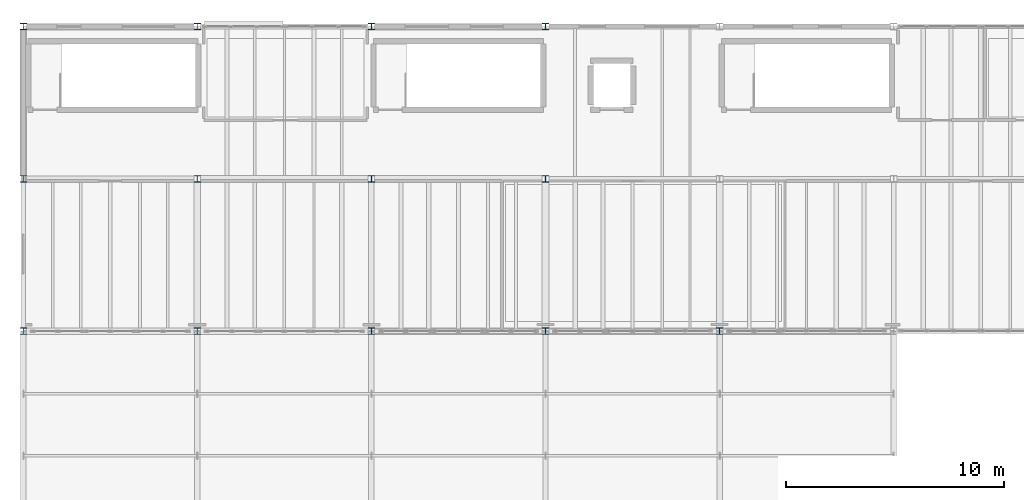
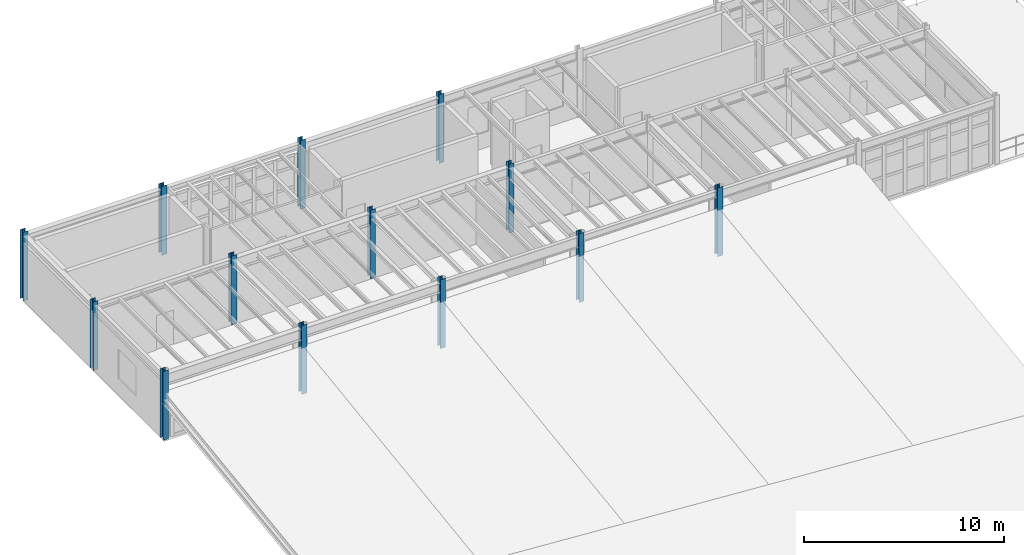
# One storey, part 1 of 77: 13 columns.
"""IFC4 building model written with IfcOpenShell, lengths in metres."""

from ifc_helpers import new_model, si_unit, direction, frame, origin, origin_2d, place, context, subcontext, project, spatial, i_section, extrude, material, material_profile, profile_set, type_object, element, save


model = new_model("IFC4")

# Units and contexts
model_context = context("Model", 3, precision=1e-05, world=origin(), true_north=direction((0.0, 1.0)))
body_context = subcontext(model_context, "Body", "Model", "MODEL_VIEW")
ifc_project = project(units=[si_unit("LENGTHUNIT", "METRE"), si_unit("AREAUNIT", "SQUARE_METRE"), si_unit("VOLUMEUNIT", "CUBIC_METRE"), si_unit("PLANEANGLEUNIT", "RADIAN"), si_unit("MASSUNIT", "GRAM", prefix="KILO"), si_unit("THERMODYNAMICTEMPERATUREUNIT", "KELVIN"), si_unit("POWERUNIT", "WATT")], contexts=[model_context])

# Site, building, storey
site_placement = place(None, origin())
site = spatial("IfcSite", under=ifc_project, at=site_placement, CompositionType="ELEMENT")
building_placement = place(site_placement, origin())
building = spatial("IfcBuilding", under=site, at=building_placement, Name="Zhenchuan Central Fire Station", CompositionType="ELEMENT")
storey_placement = place(building_placement, frame((0.0, 0.0, 10.050048828125)))
storey = spatial("IfcBuildingStorey", under=building, at=storey_placement, Name="L03", CompositionType="ELEMENT", Elevation=10.050048828125)

# Columns
ifc_material = material(Name="Steel Q355B", Category="steel")
ifc_material_profile_1 = material_profile(ifc_material, i_section(OverallWidth=0.300048828125, OverallDepth=0.300048828125, WebThickness=0.010009765625, FlangeThickness=0.014892578125, FilletRadius=0.01806640625, at=origin_2d()), Name="HW 300x300")
ifc_profile_set_1 = profile_set([ifc_material_profile_1], Name="Steel Q355B")
column_type_1 = type_object("IfcColumnType", Name="COL-HW300", PredefinedType="COLUMN", material=ifc_profile_set_1)
for number, where, z_axis, x_axis, name in (
    (1, (0.0, 42.5, 0.0), (0.0, 0.0, 1.0), (1.0, 0.0, 0.0), "L03 Column 001"),
    (2, (0.0, 49.5, 0.0), (0.0, 0.0, 1.0), (1.0, 0.0, 0.0), "L03 Column 002"),
    (3, (0.0, 56.5, 0.0), (0.0, 0.0, 1.0), (1.0, 0.0, 0.0), "L03 Column 003"),
    (4, (8.0, 56.5, 0.0), (0.0, 0.0, 1.0), (1.0, 0.0, 0.0), "L03 Column 006"),
    (5, (16.0, 56.5, 0.0), (0.0, 0.0, 1.0), (1.0, 0.0, 0.0), "L03 Column 009"),
    (6, (24.0, 56.5, 0.0), (0.0, 0.0, 1.0), (1.0, 0.0, 0.0), "L03 Column 012"),
):
    element("IfcColumn", number, at=place(storey_placement, frame(where, z_axis=z_axis, x_axis=x_axis)), inside=storey, type_object=column_type_1, Name=name, PredefinedType="COLUMN", context=body_context, shape_type="SweptSolid", body=[
        extrude(i_section(OverallWidth=0.300048828125, OverallDepth=0.300048828125, WebThickness=0.010009765625, FlangeThickness=0.014892578125, FilletRadius=0.01806640625, at=origin_2d()), origin(), (0.0, 0.0, 1.0), 4.199951171875),
    ])
ifc_material_profile_2 = material_profile(ifc_material, i_section(OverallWidth=0.300048828125, OverallDepth=0.300048828125, WebThickness=0.010009765625, FlangeThickness=0.014892578125, FilletRadius=0.01806640625, at=origin_2d()), Name="HW 300x300")
ifc_profile_set_2 = profile_set([ifc_material_profile_2], Name="Steel Q355B")
column_type_2 = type_object("IfcColumnType", Name="COL-HW300-INT", PredefinedType="COLUMN", material=ifc_profile_set_2)
for number, where, z_axis, x_axis, name in (
    (7, (8.0, 42.5, 0.0), (0.0, 0.0, 1.0), (1.0, 0.0, 0.0), "L03 Column 004"),
    (8, (8.0, 49.5, 0.0), (0.0, 0.0, 1.0), (1.0, 0.0, 0.0), "L03 Column 005"),
    (9, (16.0, 42.5, 0.0), (0.0, 0.0, 1.0), (1.0, 0.0, 0.0), "L03 Column 007"),
    (10, (16.0, 49.5, 0.0), (0.0, 0.0, 1.0), (1.0, 0.0, 0.0), "L03 Column 008"),
    (11, (24.0, 42.5, 0.0), (0.0, 0.0, 1.0), (1.0, 0.0, 0.0), "L03 Column 010"),
    (12, (24.0, 49.5, 0.0), (0.0, 0.0, 1.0), (1.0, 0.0, 0.0), "L03 Column 011"),
    (13, (32.0, 42.5, 0.0), (0.0, 0.0, 1.0), (1.0, 0.0, 0.0), "L03 Column 013"),
):
    element("IfcColumn", number, at=place(storey_placement, frame(where, z_axis=z_axis, x_axis=x_axis)), inside=storey, type_object=column_type_2, Name=name, PredefinedType="COLUMN", context=body_context, shape_type="SweptSolid", body=[
        extrude(i_section(OverallWidth=0.300048828125, OverallDepth=0.300048828125, WebThickness=0.010009765625, FlangeThickness=0.014892578125, FilletRadius=0.01806640625, at=origin_2d()), origin(), (0.0, 0.0, 1.0), 4.199951171875),
    ])

save(model, "model.ifc")
